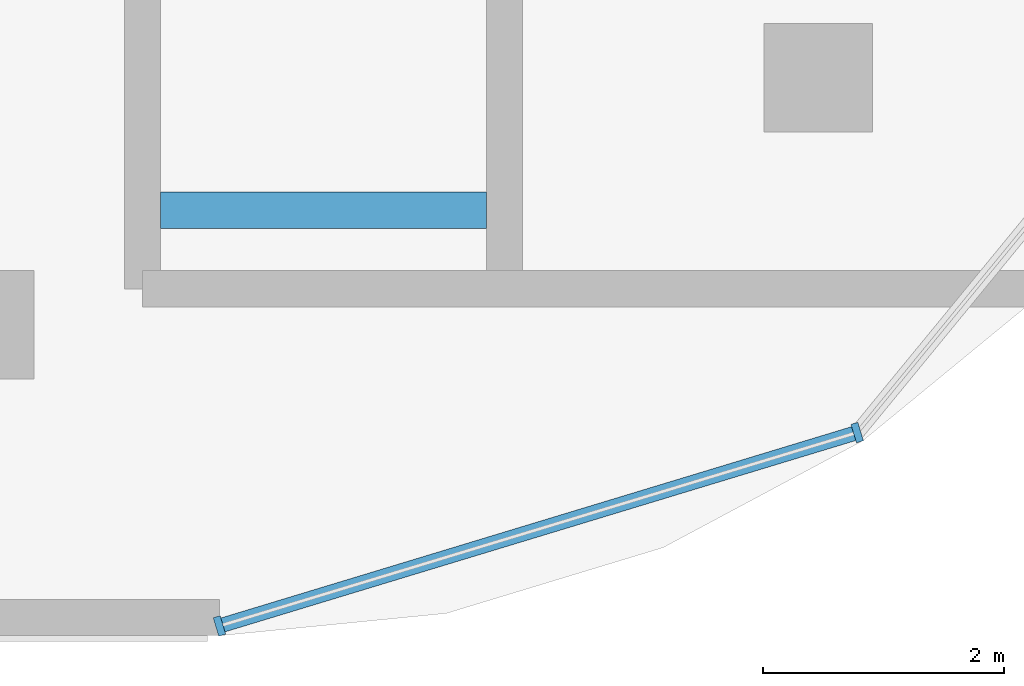
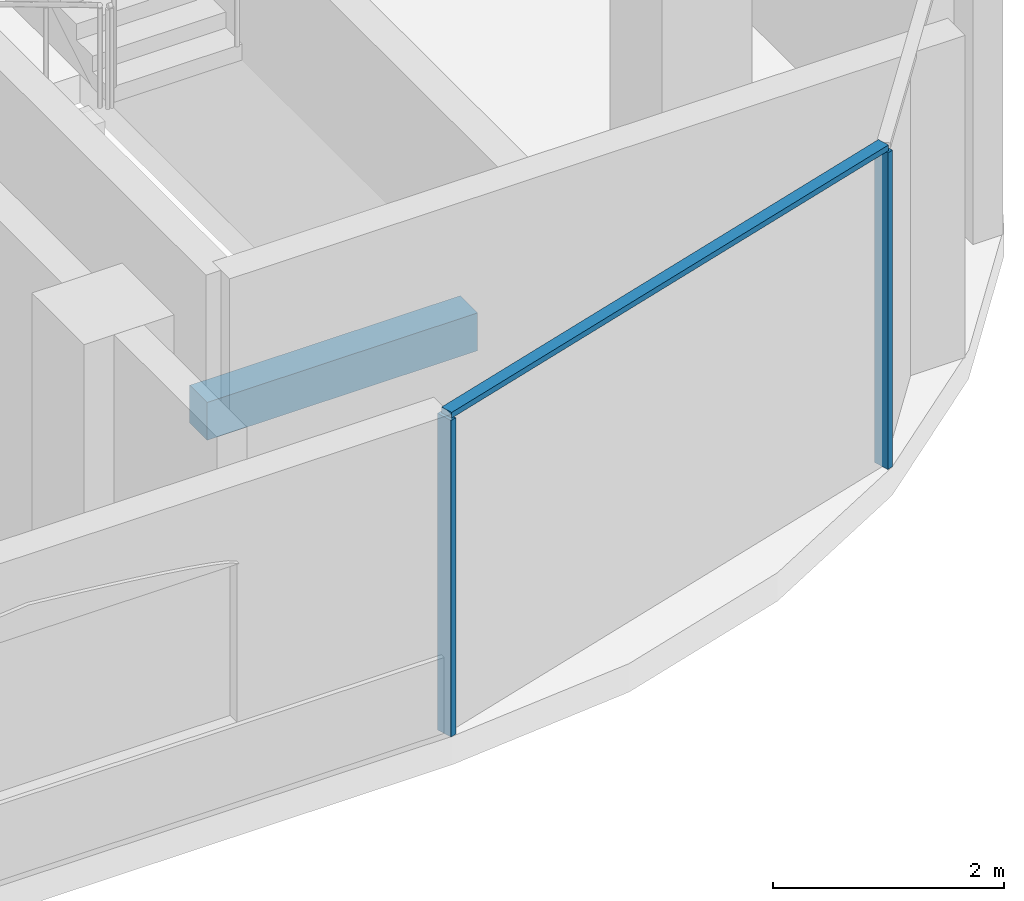
# One storey, part 3 of 18: 3 members, 1 beam, 1 element without a shape of its own.
"""IFC4 building model written with IfcOpenShell, lengths in metres."""

import ifcopenshell
import ifcopenshell.guid

model = None  # the IFC model being written
_history = None  # IfcOwnerHistory: only IFC2X3 demands one
_inside = {}  # id of a spatial element -> (the spatial element, [elements in it])
_under = {}  # id of a project, library or spatial element -> (it, [spatial elements below it])
_declared = {}  # id of a project -> (the project, [libraries it declares])
_typed = {}  # id of a type object -> (the type object, [elements of that type])
_made_of = {}  # id of a material, layer set ... -> (it, [elements and type objects made of it])


def new_model(schema):
    """Start an empty IFC model of exactly this schema.

    Asked for "IFC4X3", IfcOpenShell would pick the latest addendum, in which some entities
    have other attributes; the version numbers below select the first issue.
    IFC2X3 requires an IfcOwnerHistory on every rooted entity: one is made here for all.
    """
    global model, _history
    if schema == "IFC4X3":
        model = ifcopenshell.file(schema_version=(4, 3, 0, 0))
    else:
        model = ifcopenshell.file(schema=schema)
    _inside.clear()
    _under.clear()
    _declared.clear()
    _typed.clear()
    _made_of.clear()
    _history = None
    if model.schema == "IFC2X3":
        org = make("IfcOrganization", Name="unknown")
        user = make(
            "IfcPersonAndOrganization",
            ThePerson=make("IfcPerson", FamilyName="unknown"),
            TheOrganization=org,
        )
        app = make(
            "IfcApplication",
            ApplicationDeveloper=org,
            Version="unknown",
            ApplicationFullName="unknown",
            ApplicationIdentifier="unknown",
        )
        _history = make(
            "IfcOwnerHistory",
            OwningUser=user,
            OwningApplication=app,
            ChangeAction="ADDED",
            CreationDate=0,
        )
    return model


def make(cls, **values):
    """One entity of the class cls with the attributes given. An attribute that is None is left unset."""
    return model.create_entity(
        cls, **{name: value for name, value in values.items() if value is not None}
    )


def rooted(cls, **values):
    """An entity with a GlobalId (a new one), such as an element, a storey or a relation."""
    return make(cls, GlobalId=ifcopenshell.guid.new(), OwnerHistory=_history, **values)


def si_unit(unit_type, name, prefix=None):
    """IfcSIUnit, for example si_unit("LENGTHUNIT", "METRE", prefix="MILLI")."""
    return make("IfcSIUnit", UnitType=unit_type, Prefix=prefix, Name=name)


def assignment(units):
    """IfcUnitAssignment: the units of a project."""
    return None if units is None else make("IfcUnitAssignment", Units=units)


def point(xyz):
    """IfcCartesianPoint."""
    return None if xyz is None else make("IfcCartesianPoint", Coordinates=xyz)


def direction(xyz):
    """IfcDirection."""
    return None if xyz is None else make("IfcDirection", DirectionRatios=xyz)


def frame(location, z_axis=None, x_axis=None):
    """IfcAxis2Placement3D, a coordinate frame: its origin and axes. An axis left out is left unset."""
    return make(
        "IfcAxis2Placement3D",
        Location=point(location),
        Axis=direction(z_axis),
        RefDirection=direction(x_axis),
    )


def frame_2d(location, x_axis=None):
    """IfcAxis2Placement2D, a coordinate frame in the plane: its origin and x axis."""
    return make(
        "IfcAxis2Placement2D", Location=point(location), RefDirection=direction(x_axis)
    )


def origin():
    """The frame at (0, 0, 0) with its axes left unset."""
    return frame((0.0, 0.0, 0.0))


def origin_2d():
    """The frame at (0, 0) in the plane with its x axis left unset."""
    return frame_2d((0.0, 0.0))


def place(relative_to, where):
    """IfcLocalPlacement: puts the frame where relative to a parent placement (None: the world)."""
    return make(
        "IfcLocalPlacement", PlacementRelTo=relative_to, RelativePlacement=where
    )


def context(
    kind, dimensions, precision=None, world=None, true_north=None, identifier=None
):
    """IfcGeometricRepresentationContext, for example the 3D "Model" context."""
    return make(
        "IfcGeometricRepresentationContext",
        ContextIdentifier=identifier,
        ContextType=kind,
        CoordinateSpaceDimension=dimensions,
        Precision=precision,
        WorldCoordinateSystem=world,
        TrueNorth=true_north,
    )


def subcontext(parent, identifier, kind, view, scale=None):
    """IfcGeometricRepresentationSubContext, for example "Body" below "Model"."""
    return make(
        "IfcGeometricRepresentationSubContext",
        ContextIdentifier=identifier,
        ContextType=kind,
        ParentContext=parent,
        TargetScale=scale,
        TargetView=view,
    )


def project(units=None, contexts=None):
    """IfcProject with its units and contexts."""
    return rooted(
        "IfcProject",
        Name="project",
        RepresentationContexts=contexts,
        UnitsInContext=assignment(units),
    )


def spatial(cls, under=None, at=None, **own):
    """A site, building, storey or space (cls), placed at a placement, below another one or the project."""
    s = rooted(cls, ObjectPlacement=at, **own)
    if under is not None:
        _under.setdefault(under.id(), (under, []))[1].append(s)
    return s


def profile(cls, at=None, kind="AREA", **sizes):
    """A parametric profile (cls). Its sizes go by their IFC names, for example OverallWidth=200.0."""
    return make(cls, ProfileType=kind, Position=at, **sizes)


def rectangle(**sizes):
    """IfcRectangleProfileDef."""
    return profile("IfcRectangleProfileDef", **sizes)


def extrude(swept, where, along, depth):
    """IfcExtrudedAreaSolid: the profile swept, set in the frame where, extruded along a direction by depth."""
    return make(
        "IfcExtrudedAreaSolid",
        SweptArea=swept,
        Position=where,
        ExtrudedDirection=direction(along),
        Depth=depth,
    )


def shape(context_of_items, identifier, shape_type, items):
    """IfcShapeRepresentation: the items that make up one representation, for example the "Body"."""
    return make(
        "IfcShapeRepresentation",
        ContextOfItems=context_of_items,
        RepresentationIdentifier=identifier,
        RepresentationType=shape_type,
        Items=items,
    )


def material(Name=None, Category=None):
    """IfcMaterial."""
    return make("IfcMaterial", Name=Name, Category=Category)


def material_profile(
    of_material, cross_section, Name=None, Category=None, Priority=None
):
    """IfcMaterialProfile: a cross section and its material."""
    return make(
        "IfcMaterialProfile",
        Name=Name,
        Material=of_material,
        Profile=cross_section,
        Priority=Priority,
        Category=Category,
    )


def profile_set(profiles, Name=None, composite=None):
    """IfcMaterialProfileSet."""
    return make(
        "IfcMaterialProfileSet",
        Name=Name,
        MaterialProfiles=profiles,
        CompositeProfile=composite,
    )


def made_of(thing, what):
    """Note that an element or type object is made of a material, layer set ...; save() writes the relation."""
    if what is not None:
        _made_of.setdefault(what.id(), (what, []))[1].append(thing)
    return thing


def type_object(cls, material=None, **own):
    """A type object (cls), such as IfcWallType, which elements share."""
    return made_of(rooted(cls, **own), material)


def element(
    cls,
    number,
    at=None,
    inside=None,
    cuts=None,
    type_object=None,
    material=None,
    context=None,
    identifier="Body",
    shape_type=None,
    held_by="IfcProductDefinitionShape",
    body=None,
    shapes=None,
    **own,
):
    """One element of the class cls, such as IfcWall. Its Tag is "e" and its number.

    at: its placement. inside: the storey or other place that contains it. cuts: it is an
    opening in that element (IfcRelVoidsElement). A single representation is given by context,
    identifier, shape_type and body (its items); several are given by shapes. held_by: the class
    of the entity that holds the representations. save() writes the other relations.
    """
    e = rooted(cls, Tag="e%d" % number, ObjectPlacement=at, **own)
    if body is not None:
        shapes = [shape(context, identifier, shape_type, body)]
    if shapes is not None:
        e.Representation = make(held_by, Representations=shapes)
    if inside is not None:
        _inside.setdefault(inside.id(), (inside, []))[1].append(e)
    if cuts is not None:
        rooted(
            "IfcRelVoidsElement", RelatingBuildingElement=cuts, RelatedOpeningElement=e
        )
    if type_object is not None:
        _typed.setdefault(type_object.id(), (type_object, []))[1].append(e)
    return made_of(e, material)


def aggregate(whole, parts):
    """IfcRelAggregates: a whole, such as a stair, and the parts it consists of."""
    return rooted("IfcRelAggregates", RelatingObject=whole, RelatedObjects=parts)


def save(model, path):
    """Write the relations noted so far, then the file.

    IfcRelAggregates (storeys below a building ...), IfcRelContainedInSpatialStructure (elements
    in a storey), IfcRelDefinesByType, IfcRelAssociatesMaterial and IfcRelDeclares: one each for
    every whole, place, type object, material and project.
    """
    for whole, parts in _under.values():
        aggregate(whole, parts)
    for where, things in _inside.values():
        rooted(
            "IfcRelContainedInSpatialStructure",
            RelatedElements=things,
            RelatingStructure=where,
        )
    for kind, things in _typed.values():
        rooted("IfcRelDefinesByType", RelatedObjects=things, RelatingType=kind)
    for what, things in _made_of.values():
        rooted("IfcRelAssociatesMaterial", RelatedObjects=things, RelatingMaterial=what)
    for by, libraries in _declared.values():
        rooted("IfcRelDeclares", RelatingContext=by, RelatedDefinitions=libraries)
    model.write(path)


model = new_model("IFC4")

# Units and contexts
model_context = context("Model", 3, precision=1e-05, world=origin(), true_north=direction((0.0, 1.0)))
body_context = subcontext(model_context, "Body", "Model", "MODEL_VIEW")
ifc_project = project(units=[si_unit("LENGTHUNIT", "METRE"), si_unit("AREAUNIT", "SQUARE_METRE"), si_unit("VOLUMEUNIT", "CUBIC_METRE"), si_unit("PLANEANGLEUNIT", "RADIAN"), si_unit("MASSUNIT", "GRAM", prefix="KILO")], contexts=[model_context])

# Site, building, storey
site_placement = place(None, origin())
site = spatial("IfcSite", under=ifc_project, at=site_placement, CompositionType="ELEMENT")
building_placement = place(site_placement, origin())
building = spatial("IfcBuilding", under=site, at=building_placement, Name="Ogive Portal Towers", CompositionType="ELEMENT")
storey_placement = place(building_placement, frame((0.0, 0.0, 240.199951171875)))
storey = spatial("IfcBuildingStorey", under=building, at=storey_placement, Name="L60", CompositionType="ELEMENT", Elevation=240.199951171875)

# Beam
ifc_material_1 = material(Name="Concrete C40/50", Category="concrete")
ifc_material_profile_1 = material_profile(ifc_material_1, rectangle(XDim=0.300048828125, YDim=0.39990234375, at=origin_2d()), Name="RC 300x400")
ifc_profile_set_1 = profile_set([ifc_material_profile_1], Name="Concrete C40/50")
beam_type = type_object("IfcBeamType", Name="BEAM RC 300x400", PredefinedType="BEAM", material=ifc_profile_set_1)
beam_placement = place(storey_placement, frame((87.0, 22.449951171875, 1.449951171875), z_axis=(1.0, 0.0, 0.0), x_axis=(0.0, 1.0, 0.0)))
element("IfcBeam", 1, at=beam_placement, inside=storey, type_object=beam_type, Name="Landing beam L60", PredefinedType="BEAM", context=body_context, shape_type="SweptSolid", body=[
    extrude(rectangle(XDim=0.300048828125, YDim=0.39990234375, at=origin_2d()), origin(), (0.0, 0.0, 1.0), 2.699951171875),
])

# Curtain wall, members
ifc_material_2 = material(Name="Glass, clear low-iron insulated glazing", Category="glass")
curtain_wall_type = type_object("IfcCurtainWallType", Name="CW FRONT RIBBON 4500", PredefinedType="NOTDEFINED", material=ifc_material_2)
curtain_wall_placement = place(storey_placement, origin())
curtain_wall = element("IfcCurtainWall", 2, at=curtain_wall_placement, inside=storey, type_object=curtain_wall_type, Name="A:L60:f09:cwa", PredefinedType="NOTDEFINED")
ifc_material_3 = material(Name="Aluminium 6063 anodised", Category="aluminium")
ifc_material_profile_2 = material_profile(ifc_material_3, rectangle(XDim=0.159912109375, YDim=0.06005859375, at=origin_2d()), Name="AL 60x160")
ifc_profile_set_2 = profile_set([ifc_material_profile_2], Name="Aluminium 6063 anodised")
member_type_1 = type_object("IfcMemberType", Name="CW MULLION 60x160", PredefinedType="MULLION", material=ifc_profile_set_2)
member_1_placement = place(storey_placement, frame((87.488037109375, 19.0048828125, 0.0), z_axis=(0.0, 0.0, 1.0), x_axis=(-0.290284677254, 0.956940335732, 0.0)))
member_1 = element("IfcMember", 3, at=member_1_placement, type_object=member_type_1, Name="mullion", PredefinedType="MULLION", context=body_context, shape_type="SweptSolid", body=[
    extrude(rectangle(XDim=0.159912109375, YDim=0.06005859375, at=origin_2d()), origin(), (0.0, 0.0, 1.0), 3.340087890625),
])
member_2_placement = place(storey_placement, frame((92.773193359375, 20.608154296875, 0.0), z_axis=(0.0, 0.0, 1.0), x_axis=(-0.290284677254, 0.956940335732, 0.0)))
member_2 = element("IfcMember", 4, at=member_2_placement, type_object=member_type_1, Name="mullion", PredefinedType="MULLION", context=body_context, shape_type="SweptSolid", body=[
    extrude(rectangle(XDim=0.159912109375, YDim=0.06005859375, at=origin_2d()), origin(), (0.0, 0.0, 1.0), 3.340087890625),
])
ifc_material_profile_3 = material_profile(ifc_material_3, rectangle(XDim=0.1201171875, YDim=0.06005859375, at=origin_2d()), Name="AL 120x60")
ifc_profile_set_3 = profile_set([ifc_material_profile_3], Name="Aluminium 6063 anodised")
member_type_2 = type_object("IfcMemberType", Name="CW TRANSOM 60x120", PredefinedType="USERDEFINED", material=ifc_profile_set_3)
member_3_placement = place(storey_placement, frame((87.488037109375, 19.0048828125, 3.3701171875), z_axis=(0.956938481614, 0.290290789392, 0.0), x_axis=(-0.290290789392, 0.956938481614, 0.0)))
member_3 = element("IfcMember", 5, at=member_3_placement, type_object=member_type_2, Name="transom", ObjectType="TRANSOM", PredefinedType="USERDEFINED", context=body_context, shape_type="SweptSolid", body=[
    extrude(rectangle(XDim=0.1201171875, YDim=0.06005859375, at=origin_2d()), origin(), (0.0, 0.0, 1.0), 5.52294921875),
])
aggregate(curtain_wall, [member_3, member_1, member_2])

save(model, "model.ifc")
